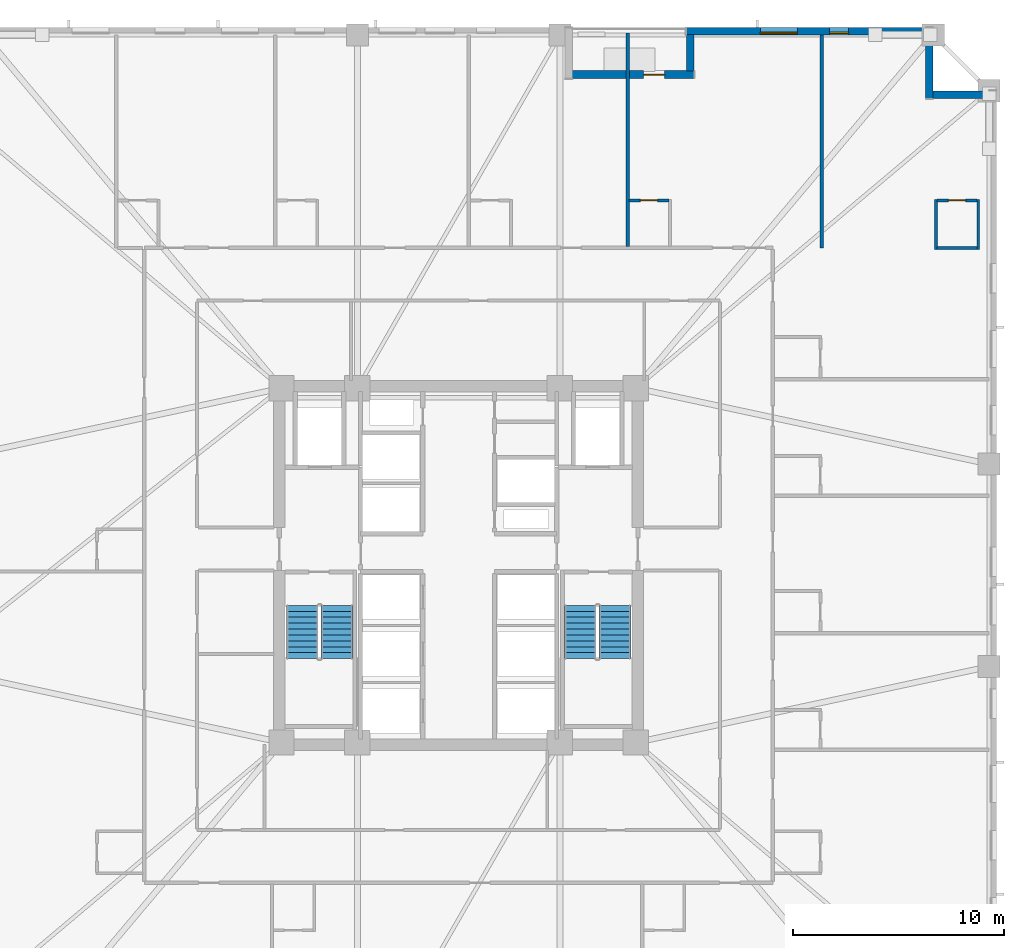
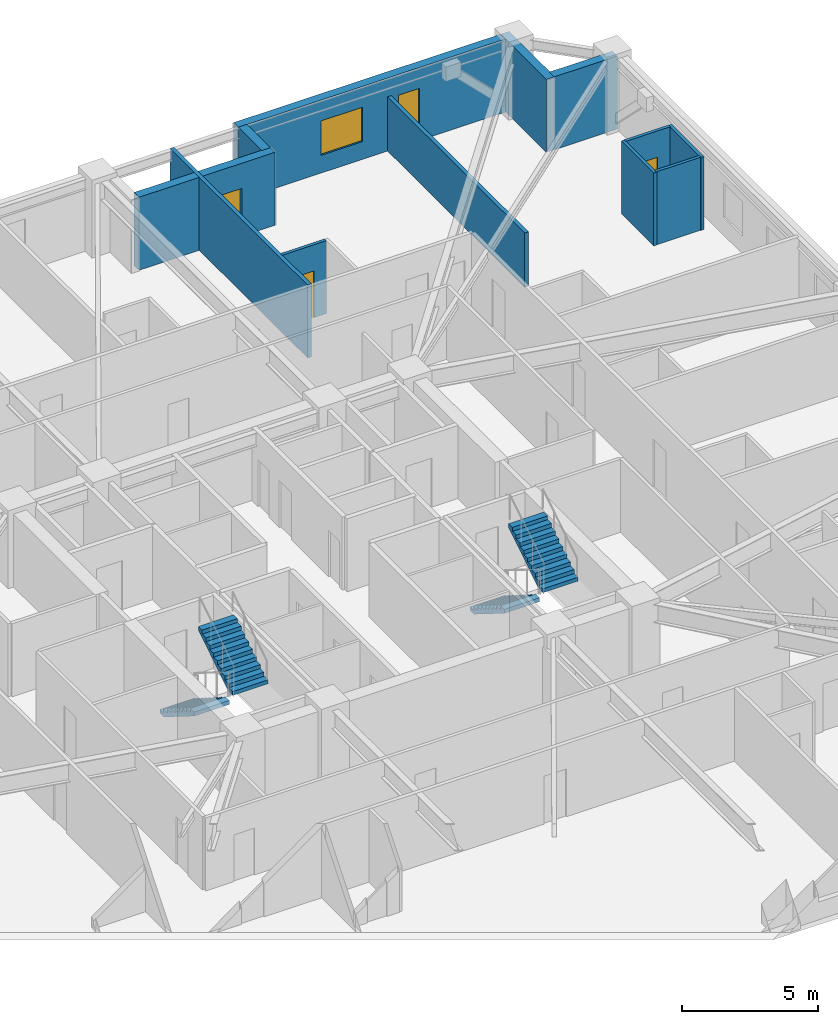
# One storey, part 7 of 11: 12 walls, 4 stair flights, 3 doors, 2 windows, 5 openings, 2 elements without a shape of their own.
"""IFC4 building model written with IfcOpenShell, lengths in metres."""

import ifcopenshell
import ifcopenshell.guid

model = None  # the IFC model being written
_history = None  # IfcOwnerHistory: only IFC2X3 demands one
_inside = {}  # id of a spatial element -> (the spatial element, [elements in it])
_under = {}  # id of a project, library or spatial element -> (it, [spatial elements below it])
_declared = {}  # id of a project -> (the project, [libraries it declares])
_typed = {}  # id of a type object -> (the type object, [elements of that type])
_made_of = {}  # id of a material, layer set ... -> (it, [elements and type objects made of it])


def new_model(schema):
    """Start an empty IFC model of exactly this schema.

    Asked for "IFC4X3", IfcOpenShell would pick the latest addendum, in which some entities
    have other attributes; the version numbers below select the first issue.
    IFC2X3 requires an IfcOwnerHistory on every rooted entity: one is made here for all.
    """
    global model, _history
    if schema == "IFC4X3":
        model = ifcopenshell.file(schema_version=(4, 3, 0, 0))
    else:
        model = ifcopenshell.file(schema=schema)
    _inside.clear()
    _under.clear()
    _declared.clear()
    _typed.clear()
    _made_of.clear()
    _history = None
    if model.schema == "IFC2X3":
        org = make("IfcOrganization", Name="unknown")
        user = make(
            "IfcPersonAndOrganization",
            ThePerson=make("IfcPerson", FamilyName="unknown"),
            TheOrganization=org,
        )
        app = make(
            "IfcApplication",
            ApplicationDeveloper=org,
            Version="unknown",
            ApplicationFullName="unknown",
            ApplicationIdentifier="unknown",
        )
        _history = make(
            "IfcOwnerHistory",
            OwningUser=user,
            OwningApplication=app,
            ChangeAction="ADDED",
            CreationDate=0,
        )
    return model


def make(cls, **values):
    """One entity of the class cls with the attributes given. An attribute that is None is left unset."""
    return model.create_entity(
        cls, **{name: value for name, value in values.items() if value is not None}
    )


def rooted(cls, **values):
    """An entity with a GlobalId (a new one), such as an element, a storey or a relation."""
    return make(cls, GlobalId=ifcopenshell.guid.new(), OwnerHistory=_history, **values)


def si_unit(unit_type, name, prefix=None):
    """IfcSIUnit, for example si_unit("LENGTHUNIT", "METRE", prefix="MILLI")."""
    return make("IfcSIUnit", UnitType=unit_type, Prefix=prefix, Name=name)


def assignment(units):
    """IfcUnitAssignment: the units of a project."""
    return None if units is None else make("IfcUnitAssignment", Units=units)


def point(xyz):
    """IfcCartesianPoint."""
    return None if xyz is None else make("IfcCartesianPoint", Coordinates=xyz)


def direction(xyz):
    """IfcDirection."""
    return None if xyz is None else make("IfcDirection", DirectionRatios=xyz)


def frame(location, z_axis=None, x_axis=None):
    """IfcAxis2Placement3D, a coordinate frame: its origin and axes. An axis left out is left unset."""
    return make(
        "IfcAxis2Placement3D",
        Location=point(location),
        Axis=direction(z_axis),
        RefDirection=direction(x_axis),
    )


def frame_2d(location, x_axis=None):
    """IfcAxis2Placement2D, a coordinate frame in the plane: its origin and x axis."""
    return make(
        "IfcAxis2Placement2D", Location=point(location), RefDirection=direction(x_axis)
    )


def origin():
    """The frame at (0, 0, 0) with its axes left unset."""
    return frame((0.0, 0.0, 0.0))


def place(relative_to, where):
    """IfcLocalPlacement: puts the frame where relative to a parent placement (None: the world)."""
    return make(
        "IfcLocalPlacement", PlacementRelTo=relative_to, RelativePlacement=where
    )


def context(
    kind, dimensions, precision=None, world=None, true_north=None, identifier=None
):
    """IfcGeometricRepresentationContext, for example the 3D "Model" context."""
    return make(
        "IfcGeometricRepresentationContext",
        ContextIdentifier=identifier,
        ContextType=kind,
        CoordinateSpaceDimension=dimensions,
        Precision=precision,
        WorldCoordinateSystem=world,
        TrueNorth=true_north,
    )


def subcontext(parent, identifier, kind, view, scale=None):
    """IfcGeometricRepresentationSubContext, for example "Body" below "Model"."""
    return make(
        "IfcGeometricRepresentationSubContext",
        ContextIdentifier=identifier,
        ContextType=kind,
        ParentContext=parent,
        TargetScale=scale,
        TargetView=view,
    )


def project(units=None, contexts=None):
    """IfcProject with its units and contexts."""
    return rooted(
        "IfcProject",
        Name="project",
        RepresentationContexts=contexts,
        UnitsInContext=assignment(units),
    )


def spatial(cls, under=None, at=None, **own):
    """A site, building, storey or space (cls), placed at a placement, below another one or the project."""
    s = rooted(cls, ObjectPlacement=at, **own)
    if under is not None:
        _under.setdefault(under.id(), (under, []))[1].append(s)
    return s


def polyline(points):
    """IfcPolyline through the points."""
    return make("IfcPolyline", Points=[point(p) for p in points])


def profile(cls, at=None, kind="AREA", **sizes):
    """A parametric profile (cls). Its sizes go by their IFC names, for example OverallWidth=200.0."""
    return make(cls, ProfileType=kind, Position=at, **sizes)


def rectangle(**sizes):
    """IfcRectangleProfileDef."""
    return profile("IfcRectangleProfileDef", **sizes)


def outline(outer, holes=None, kind="AREA"):
    """IfcArbitraryClosedProfileDef: a profile drawn as a closed curve; with holes, ...WithVoids."""
    if holes is None:
        return make("IfcArbitraryClosedProfileDef", ProfileType=kind, OuterCurve=outer)
    return make(
        "IfcArbitraryProfileDefWithVoids",
        ProfileType=kind,
        OuterCurve=outer,
        InnerCurves=holes,
    )


def extrude(swept, where, along, depth):
    """IfcExtrudedAreaSolid: the profile swept, set in the frame where, extruded along a direction by depth."""
    return make(
        "IfcExtrudedAreaSolid",
        SweptArea=swept,
        Position=where,
        ExtrudedDirection=direction(along),
        Depth=depth,
    )


def shape(context_of_items, identifier, shape_type, items):
    """IfcShapeRepresentation: the items that make up one representation, for example the "Body"."""
    return make(
        "IfcShapeRepresentation",
        ContextOfItems=context_of_items,
        RepresentationIdentifier=identifier,
        RepresentationType=shape_type,
        Items=items,
    )


def material(Name=None, Category=None):
    """IfcMaterial."""
    return make("IfcMaterial", Name=Name, Category=Category)


def layer(
    of_material, thickness, ventilated=None, Name=None, Category=None, Priority=None
):
    """IfcMaterialLayer: one layer of a wall or slab, of a material (None: an air gap)."""
    return make(
        "IfcMaterialLayer",
        Material=of_material,
        LayerThickness=thickness,
        IsVentilated=ventilated,
        Name=Name,
        Category=Category,
        Priority=Priority,
    )


def layer_set(layers, Name=None):
    """IfcMaterialLayerSet."""
    return make("IfcMaterialLayerSet", MaterialLayers=layers, LayerSetName=Name)


def made_of(thing, what):
    """Note that an element or type object is made of a material, layer set ...; save() writes the relation."""
    if what is not None:
        _made_of.setdefault(what.id(), (what, []))[1].append(thing)
    return thing


def type_object(cls, material=None, **own):
    """A type object (cls), such as IfcWallType, which elements share."""
    return made_of(rooted(cls, **own), material)


def element(
    cls,
    number,
    at=None,
    inside=None,
    cuts=None,
    type_object=None,
    material=None,
    context=None,
    identifier="Body",
    shape_type=None,
    held_by="IfcProductDefinitionShape",
    body=None,
    shapes=None,
    **own,
):
    """One element of the class cls, such as IfcWall. Its Tag is "e" and its number.

    at: its placement. inside: the storey or other place that contains it. cuts: it is an
    opening in that element (IfcRelVoidsElement). A single representation is given by context,
    identifier, shape_type and body (its items); several are given by shapes. held_by: the class
    of the entity that holds the representations. save() writes the other relations.
    """
    e = rooted(cls, Tag="e%d" % number, ObjectPlacement=at, **own)
    if body is not None:
        shapes = [shape(context, identifier, shape_type, body)]
    if shapes is not None:
        e.Representation = make(held_by, Representations=shapes)
    if inside is not None:
        _inside.setdefault(inside.id(), (inside, []))[1].append(e)
    if cuts is not None:
        rooted(
            "IfcRelVoidsElement", RelatingBuildingElement=cuts, RelatedOpeningElement=e
        )
    if type_object is not None:
        _typed.setdefault(type_object.id(), (type_object, []))[1].append(e)
    return made_of(e, material)


def fill(opening, filler):
    """IfcRelFillsElement: the door or window that sits in an opening."""
    return rooted(
        "IfcRelFillsElement",
        RelatingOpeningElement=opening,
        RelatedBuildingElement=filler,
    )


def aggregate(whole, parts):
    """IfcRelAggregates: a whole, such as a stair, and the parts it consists of."""
    return rooted("IfcRelAggregates", RelatingObject=whole, RelatedObjects=parts)


def save(model, path):
    """Write the relations noted so far, then the file.

    IfcRelAggregates (storeys below a building ...), IfcRelContainedInSpatialStructure (elements
    in a storey), IfcRelDefinesByType, IfcRelAssociatesMaterial and IfcRelDeclares: one each for
    every whole, place, type object, material and project.
    """
    for whole, parts in _under.values():
        aggregate(whole, parts)
    for where, things in _inside.values():
        rooted(
            "IfcRelContainedInSpatialStructure",
            RelatedElements=things,
            RelatingStructure=where,
        )
    for kind, things in _typed.values():
        rooted("IfcRelDefinesByType", RelatedObjects=things, RelatingType=kind)
    for what, things in _made_of.values():
        rooted("IfcRelAssociatesMaterial", RelatedObjects=things, RelatingMaterial=what)
    for by, libraries in _declared.values():
        rooted("IfcRelDeclares", RelatingContext=by, RelatedDefinitions=libraries)
    model.write(path)


model = new_model("IFC4")

# Units and contexts
model_context = context("Model", 3, precision=1e-05, world=origin(), true_north=direction((0.0, 1.0)))
body_context = subcontext(model_context, "Body", "Model", "MODEL_VIEW")
ifc_project = project(units=[si_unit("LENGTHUNIT", "METRE"), si_unit("AREAUNIT", "SQUARE_METRE"), si_unit("VOLUMEUNIT", "CUBIC_METRE"), si_unit("PLANEANGLEUNIT", "RADIAN"), si_unit("MASSUNIT", "GRAM", prefix="KILO")], contexts=[model_context])

# Site, building, storey
site_placement = place(None, origin())
site = spatial("IfcSite", under=ifc_project, at=site_placement, CompositionType="ELEMENT")
building_placement = place(site_placement, origin())
building = spatial("IfcBuilding", under=site, at=building_placement, Name="Cairnveth Concourse Tower", CompositionType="ELEMENT")
storey_placement = place(building_placement, frame((0.0, 0.0, 86.5)))
storey = spatial("IfcBuildingStorey", under=building, at=storey_placement, Name="L23", CompositionType="ELEMENT", Elevation=86.5)

# Walls
ifc_material_1 = material(Name="Gypsum Plasterboard Partition", Category="gypsum")
ifc_layer_1 = layer(ifc_material_1, 0.159912109375)
ifc_layer_set_1 = layer_set([ifc_layer_1], Name="Gypsum Plasterboard Partition")
wall_type_1 = type_object("IfcWallType", Name="ACOUSTIC PARTY WALL 180", PredefinedType="PARTITIONING", material=ifc_layer_set_1)
wall_1_placement = place(storey_placement, frame((60.0224609375, 54.114990234375, 0.0), z_axis=(0.0, 0.0, 1.0), x_axis=(0.0, 1.0, 0.0)))
element("IfcWall", 1, at=wall_1_placement, inside=storey, type_object=wall_type_1, Name="Interior Wall IW-L23-081", PredefinedType="PARTITIONING", context=body_context, shape_type="SweptSolid", body=[
    extrude(rectangle(XDim=10.114990234375, YDim=0.159912109375, at=frame_2d((5.0576171875, 0.0))), origin(), (0.0, 0.0, 1.0), 3.280029296875),
])
wall_2_placement = place(storey_placement, frame((69.20751953125, 54.050048828125, 0.0), z_axis=(0.0, 0.0, 1.0), x_axis=(0.0, 1.0, 0.0)))
element("IfcWall", 2, at=wall_2_placement, inside=storey, type_object=wall_type_1, Name="Interior Wall IW-L23-084", PredefinedType="PARTITIONING", context=body_context, shape_type="SweptSolid", body=[
    extrude(rectangle(XDim=10.10498046875, YDim=0.159912109375, at=frame_2d((5.052490234375, 0.0))), origin(), (0.0, 0.0, 1.0), 2.43896484375),
])

# Wall, opening, door
ifc_layer_2 = layer(ifc_material_1, 0.1298828125)
ifc_layer_set_2 = layer_set([ifc_layer_2], Name="Gypsum Plasterboard Partition")
wall_type_2 = type_object("IfcWallType", Name="WET AREA PARTITION 140", PredefinedType="PLUMBINGWALL", material=ifc_layer_set_2)
wall_3_placement = place(storey_placement, frame((60.08740234375, 56.300048828125, 0.0), z_axis=(0.0, 0.0, 1.0), x_axis=(1.0, 0.0, 0.0)))
wall_3 = element("IfcWall", 3, at=wall_3_placement, inside=storey, type_object=wall_type_2, Name="Interior Wall IW-L23-083", PredefinedType="PLUMBINGWALL", context=body_context, shape_type="SweptSolid", body=[
    extrude(rectangle(XDim=1.885009765625, YDim=0.1298828125, at=frame_2d((0.9423828125, 0.0))), origin(), (0.0, 0.0, 1.0), 3.280029296875),
])
opening_1_placement = place(wall_3_placement, frame((0.52490234375, 0.0, 0.0)))
opening_1 = element("IfcOpeningElement", 4, at=opening_1_placement, cuts=wall_3, Name="Opening ID22", PredefinedType="OPENING", context=body_context, shape_type="SweptSolid", body=[
    extrude(rectangle(XDim=0.820068359375, YDim=2.10009765625, at=frame_2d((0.41015625, 1.050048828125))), frame((0.0, 0.074951171875, 0.0), z_axis=(0.0, -1.0, 0.0), x_axis=(1.0, 0.0, 0.0)), (0.0, 0.0, 1.0), 0.14990234375),
])
ifc_material_2 = material(Name="Solid Core Hardwood Timber Leaf", Category="wood")
door_type_1 = type_object("IfcDoorType", Name="INTERIOR WC DOOR 820X2100", OperationType="NOTDEFINED", PredefinedType="DOOR", material=ifc_material_2)
door_1_placement = place(opening_1_placement, origin())
door_1 = element("IfcDoor", 5, at=door_1_placement, inside=storey, type_object=door_type_1, Name="En-Suite Door L23-N5", OperationType="SINGLE_SWING_LEFT", OverallHeight=2.10009765625, OverallWidth=0.820068359375, PredefinedType="DOOR", context=body_context, shape_type="SweptSolid", body=[
    extrude(rectangle(XDim=0.820068359375, YDim=2.10009765625, at=frame_2d((0.41015625, 1.050048828125))), frame((0.0, 0.02490234375, 0.0), z_axis=(0.0, -1.0, 0.0), x_axis=(1.0, 0.0, 0.0)), (0.0, 0.0, 1.0), 0.050048828125),
])
fill(opening_1, door_1)

# Walls
for number, where, z_axis, x_axis, name in (
    (6, (76.6298828125, 53.969970703125, 0.0), (0.0, 0.0, 1.0), (0.0, 1.0, 0.0), "Interior Wall IW-L23-085"),
    (7, (74.6298828125, 53.969970703125, 0.0), (0.0, 0.0, 1.0), (0.0, 1.0, 0.0), "Interior Wall IW-L23-086"),
):
    element("IfcWall", number, at=place(storey_placement, frame(where, z_axis=z_axis, x_axis=x_axis)), inside=storey, type_object=wall_type_2, Name=name, PredefinedType="PLUMBINGWALL", context=body_context, shape_type="SweptSolid", body=[
        extrude(rectangle(XDim=2.380126953125, YDim=0.1298828125, at=frame_2d((1.18994140625, 0.0))), origin(), (0.0, 0.0, 1.0), 3.280029296875),
    ])

# Wall, opening, door
wall_4_placement = place(storey_placement, frame((74.679931640625, 56.300048828125, 0.0), z_axis=(0.0, 0.0, 1.0), x_axis=(1.0, 0.0, 0.0)))
wall_4 = element("IfcWall", 8, at=wall_4_placement, inside=storey, type_object=wall_type_2, Name="Interior Wall IW-L23-087", PredefinedType="PLUMBINGWALL", context=body_context, shape_type="SweptSolid", body=[
    extrude(rectangle(XDim=1.900146484375, YDim=0.1298828125, at=frame_2d((0.9501953125, 0.0))), origin(), (0.0, 0.0, 1.0), 3.280029296875),
])
opening_2_placement = place(wall_4_placement, frame((0.5400390625, 0.0, 0.0)))
opening_2 = element("IfcOpeningElement", 9, at=opening_2_placement, cuts=wall_4, Name="Opening ID22", PredefinedType="OPENING", context=body_context, shape_type="SweptSolid", body=[
    extrude(rectangle(XDim=0.820068359375, YDim=2.10009765625, at=frame_2d((0.41015625, 1.050048828125))), frame((0.0, 0.074951171875, 0.0), z_axis=(0.0, -1.0, 0.0), x_axis=(1.0, 0.0, 0.0)), (0.0, 0.0, 1.0), 0.14990234375),
])
door_2_placement = place(opening_2_placement, origin())
door_2 = element("IfcDoor", 10, at=door_2_placement, inside=storey, type_object=door_type_1, Name="En-Suite Door L23-N6", OperationType="SINGLE_SWING_LEFT", OverallHeight=2.10009765625, OverallWidth=0.820068359375, PredefinedType="DOOR", context=body_context, shape_type="SweptSolid", body=[
    extrude(rectangle(XDim=0.820068359375, YDim=2.10009765625, at=frame_2d((0.41015625, 1.050048828125))), frame((0.0, 0.02490234375, 0.0), z_axis=(0.0, -1.0, 0.0), x_axis=(1.0, 0.0, 0.0)), (0.0, 0.0, 1.0), 0.050048828125),
])
fill(opening_2, door_2)

# Wall
wall_5_placement = place(storey_placement, frame((74.679931640625, 54.050048828125, 0.0), z_axis=(0.0, 0.0, 1.0), x_axis=(1.0, 0.0, 0.0)))
element("IfcWall", 11, at=wall_5_placement, inside=storey, type_object=wall_type_2, Name="Interior Wall IW-L23-088", PredefinedType="PLUMBINGWALL", context=body_context, shape_type="SweptSolid", body=[
    extrude(rectangle(XDim=1.900146484375, YDim=0.1298828125, at=frame_2d((0.9501953125, 0.0))), origin(), (0.0, 0.0, 1.0), 3.280029296875),
])

# Wall, openings, windows
ifc_material_3 = material(Name="Hawthorn Red-Ochre Fired Clay Brick Masonry", Category="masonry")
ifc_layer_3 = layer(ifc_material_3, 0.360107421875)
ifc_layer_set_3 = layer_set([ifc_layer_3], Name="Hawthorn Red-Ochre Fired Clay Brick Masonry")
wall_type_3 = type_object("IfcWallType", Name="ZONE 1 BRICK PIER SPANDREL WALL 360", PredefinedType="SOLIDWALL", material=ifc_layer_set_3)
wall_6_placement = place(storey_placement, frame((62.800048828125, 64.320068359375, 0.0), z_axis=(0.0, 0.0, 1.0), x_axis=(1.0, 0.0, 0.0)))
wall_6 = element("IfcWall", 12, at=wall_6_placement, inside=storey, type_object=wall_type_3, Name="Exterior Wall EW-L23-S00", PredefinedType="SOLIDWALL", context=body_context, shape_type="SweptSolid", body=[
    extrude(rectangle(XDim=11.362060546875, YDim=0.360107421875, at=frame_2d((5.68115234375, 0.0))), origin(), (0.0, 0.0, 1.0), 3.280029296875),
])
opening_3_placement = place(wall_6_placement, frame((3.506103515625, 0.0, 0.800048828125)))
opening_3 = element("IfcOpeningElement", 13, at=opening_3_placement, cuts=wall_6, Name="Opening W06", PredefinedType="OPENING", context=body_context, shape_type="SweptSolid", body=[
    extrude(rectangle(XDim=1.75, YDim=1.5439453125, at=frame_2d((0.875, 0.77197265625))), frame((0.0, 0.18994140625, 0.0), z_axis=(0.0, -1.0, 0.0), x_axis=(1.0, 0.0, 0.0)), (0.0, 0.0, 1.0), 0.380126953125),
])
opening_4_placement = place(wall_6_placement, frame((6.7900390625, 0.0, 0.800048828125)))
opening_4 = element("IfcOpeningElement", 14, at=opening_4_placement, cuts=wall_6, Name="Opening W13", PredefinedType="OPENING", context=body_context, shape_type="SweptSolid", body=[
    extrude(rectangle(XDim=0.89990234375, YDim=1.5439453125, at=frame_2d((0.449951171875, 0.77197265625))), frame((0.0, 0.18994140625, 0.0), z_axis=(0.0, -1.0, 0.0), x_axis=(1.0, 0.0, 0.0)), (0.0, 0.0, 1.0), 0.380126953125),
])
ifc_material_4 = material(Name="Double Glazed Low-E Clear Glass", Category="glass")
window_type_1 = type_object("IfcWindowType", Name="DEEP-SET BEDROOM LANCET WINDOW 900X1750", PartitioningType="DOUBLE_PANEL_VERTICAL", PredefinedType="WINDOW", material=ifc_material_4)
window_1_placement = place(opening_4_placement, origin())
window_1 = element("IfcWindow", 15, at=window_1_placement, inside=storey, type_object=window_type_1, Name="Dwelling Lancet Window L23-DW2", OverallHeight=1.5439453125, OverallWidth=0.89990234375, PartitioningType="SINGLE_PANEL", PredefinedType="WINDOW", context=body_context, shape_type="SweptSolid", body=[
    extrude(rectangle(XDim=0.89990234375, YDim=1.5439453125, at=frame_2d((0.449951171875, 0.77197265625))), frame((0.0, -0.0400390625, 0.0), z_axis=(0.0, -1.0, 0.0), x_axis=(1.0, 0.0, 0.0)), (0.0, 0.0, 1.0), 0.06005859375),
])
fill(opening_4, window_1)
window_type_2 = type_object("IfcWindowType", Name="DEEP-SET HOTEL SUITE WINDOW 1750X1800", PartitioningType="DOUBLE_PANEL_VERTICAL", PredefinedType="WINDOW", material=ifc_material_4)
window_2_placement = place(opening_3_placement, origin())
window_2 = element("IfcWindow", 16, at=window_2_placement, inside=storey, type_object=window_type_2, Name="Gothic Lancet Window L23-0-1", OverallHeight=1.5439453125, OverallWidth=1.75, PartitioningType="SINGLE_PANEL", PredefinedType="WINDOW", context=body_context, shape_type="SweptSolid", body=[
    extrude(rectangle(XDim=1.75, YDim=1.5439453125, at=frame_2d((0.875, 0.77197265625))), frame((0.0, -0.050048828125, 0.0), z_axis=(0.0, -1.0, 0.0), x_axis=(1.0, 0.0, 0.0)), (0.0, 0.0, 1.0), 0.06005859375),
])
fill(opening_3, window_2)

# Walls
wall_7_placement = place(storey_placement, frame((74.320068359375, 64.5, 0.0), z_axis=(0.0, 0.0, 1.0), x_axis=(0.0, -1.0, 0.0)))
element("IfcWall", 17, at=wall_7_placement, inside=storey, type_object=wall_type_3, Name="Exterior Wall EW-L23-S01", PredefinedType="SOLIDWALL", context=body_context, shape_type="SweptSolid", body=[
    extrude(rectangle(XDim=3.360107421875, YDim=0.360107421875, at=frame_2d((1.68017578125, 0.0))), origin(), (0.0, 0.0, 1.0), 3.280029296875),
])
wall_8_placement = place(storey_placement, frame((74.47802734375, 61.320068359375, 0.0), z_axis=(0.0, 0.0, 1.0), x_axis=(1.0, 0.0, 0.0)))
element("IfcWall", 18, at=wall_8_placement, inside=storey, type_object=wall_type_3, Name="Exterior Wall EW-L23-S02", PredefinedType="SOLIDWALL", context=body_context, shape_type="SweptSolid", body=[
    extrude(rectangle(XDim=2.68408203125, YDim=0.360107421875, at=frame_2d((1.342041015625, 0.0))), origin(), (0.0, 0.0, 1.0), 3.280029296875),
])

# Wall, opening, door
wall_9_placement = place(storey_placement, frame((57.3779296875, 62.27001953125, 0.0), z_axis=(0.0, 0.0, 1.0), x_axis=(1.0, 0.0, 0.0)))
wall_9 = element("IfcWall", 19, at=wall_9_placement, inside=storey, type_object=wall_type_3, Name="Exterior Wall EW-L23-S14", PredefinedType="SOLIDWALL", context=body_context, shape_type="SweptSolid", body=[
    extrude(rectangle(XDim=5.781982421875, YDim=0.360107421875, at=frame_2d((2.89111328125, 0.0))), origin(), (0.0, 0.0, 1.0), 3.280029296875),
])
opening_5_placement = place(wall_9_placement, frame((3.38818359375, 0.0, 0.0)))
opening_5 = element("IfcOpeningElement", 20, at=opening_5_placement, cuts=wall_9, Name="Opening ED4", PredefinedType="OPENING", context=body_context, shape_type="SweptSolid", body=[
    extrude(rectangle(XDim=1.0, YDim=2.14990234375, at=frame_2d((0.5, 1.074951171875))), frame((0.0, 0.18994140625, 0.0), z_axis=(0.0, -1.0, 0.0), x_axis=(1.0, 0.0, 0.0)), (0.0, 0.0, 1.0), 0.380126953125),
])
ifc_material_5 = material(Name="Architectural Bronze Anodised Aluminium 6063-T6", Category="aluminium")
door_type_2 = type_object("IfcDoorType", Name="TERRACE GLAZED DOOR 1000X2150", OperationType="NOTDEFINED", PredefinedType="DOOR", material=ifc_material_5)
door_3_placement = place(opening_5_placement, origin())
door_3 = element("IfcDoor", 21, at=door_3_placement, inside=storey, type_object=door_type_2, Name="Spiral Terrace Door L23", OperationType="SINGLE_SWING_RIGHT", OverallHeight=2.14990234375, OverallWidth=1.0, PredefinedType="DOOR", context=body_context, shape_type="SweptSolid", body=[
    extrude(rectangle(XDim=1.0, YDim=2.14990234375, at=frame_2d((0.5, 1.074951171875))), frame((0.0, 0.02490234375, 0.0), z_axis=(0.0, -1.0, 0.0), x_axis=(1.0, 0.0, 0.0)), (0.0, 0.0, 1.0), 0.050048828125),
])
fill(opening_5, door_3)

# Wall
wall_10_placement = place(storey_placement, frame((62.97998046875, 62.427978515625, 0.0), z_axis=(0.0, 0.0, 1.0), x_axis=(0.0, 1.0, 0.0)))
element("IfcWall", 22, at=wall_10_placement, inside=storey, type_object=wall_type_3, Name="Exterior Wall EW-L23-S15", PredefinedType="SOLIDWALL", context=body_context, shape_type="SweptSolid", body=[
    extrude(rectangle(XDim=1.734130859375, YDim=0.360107421875, at=frame_2d((0.8671875, 0.0))), origin(), (0.0, 0.0, 1.0), 3.280029296875),
])

# Stair, stair flights
ifc_material_6 = material(Name="Precast concrete N50 (50 MPa)", Category="concrete")
stair_type = type_object("IfcStairType", Name="CORE DOG-LEG FIRE STAIR 1500", PredefinedType="HALF_TURN_STAIR", material=ifc_material_6)
stair_1_placement = place(storey_placement, origin())
stair_1 = element("IfcStair", 23, at=stair_1_placement, inside=storey, type_object=stair_type, Name="L23 Fire-Isolated Stair ST-1", PredefinedType="HALF_TURN_STAIR")
stair_flight_type = type_object("IfcStairFlightType", Name="PRECAST CONCRETE STAIR FLIGHT 1500", PredefinedType="STRAIGHT", material=ifc_material_6)
stair_flight_1_placement = place(storey_placement, frame((44.590087890625, 37.10009765625, 0.0), z_axis=(0.0, 0.0, 1.0), x_axis=(0.0, -1.0, 0.0)))
stair_flight_1 = element("IfcStairFlight", 24, at=stair_flight_1_placement, type_object=stair_flight_type, Name="ST-1 flight 1", NumberOfRisers=10, NumberOfTreads=9, PredefinedType="STRAIGHT", RiserHeight=0.175, TreadLength=0.28, context=body_context, shape_type="SweptSolid", body=[
    extrude(outline(polyline([(0.0, 0.0), (0.0, 0.175048828125), (0.280029296875, 0.175048828125), (0.280029296875, 0.35009765625), (0.56005859375, 0.35009765625), (0.56005859375, 0.52490234375), (0.840087890625, 0.52490234375), (0.840087890625, 0.699951171875), (1.1201171875, 0.699951171875), (1.1201171875, 0.875), (1.39990234375, 0.875), (1.39990234375, 1.050048828125), (1.679931640625, 1.050048828125), (1.679931640625, 1.22509765625), (1.9599609375, 1.22509765625), (1.9599609375, 1.39990234375), (2.239990234375, 1.39990234375), (2.239990234375, 1.574951171875), (2.52001953125, 1.574951171875), (2.52001953125, 1.75), (2.52001953125, 1.398193359375), (0.28271484375, 0.0), (0.0, 0.0)])), frame((0.0, 0.75, 0.0), z_axis=(0.0, -1.0, 0.0), x_axis=(1.0, 0.0, 0.0)), (0.0, 0.0, 1.0), 1.5),
])
stair_flight_2_placement = place(storey_placement, frame((46.22998046875, 34.580078125, 1.75), z_axis=(0.0, 0.0, 1.0), x_axis=(0.0, 1.0, 0.0)))
stair_flight_2 = element("IfcStairFlight", 25, at=stair_flight_2_placement, type_object=stair_flight_type, Name="ST-1 flight 2", NumberOfRisers=10, NumberOfTreads=9, PredefinedType="STRAIGHT", RiserHeight=0.175, TreadLength=0.28, context=body_context, shape_type="SweptSolid", body=[
    extrude(outline(polyline([(0.0, 0.0), (0.0, 0.175048828125), (0.280029296875, 0.175048828125), (0.280029296875, 0.35009765625), (0.56005859375, 0.35009765625), (0.56005859375, 0.52490234375), (0.840087890625, 0.52490234375), (0.840087890625, 0.699951171875), (1.1201171875, 0.699951171875), (1.1201171875, 0.875), (1.39990234375, 0.875), (1.39990234375, 1.050048828125), (1.679931640625, 1.050048828125), (1.679931640625, 1.22509765625), (1.9599609375, 1.22509765625), (1.9599609375, 1.39990234375), (2.239990234375, 1.39990234375), (2.239990234375, 1.574951171875), (2.52001953125, 1.574951171875), (2.52001953125, 1.75), (2.52001953125, 1.398193359375), (0.28271484375, 0.0), (0.0, 0.0)])), frame((0.0, 0.75, 0.0), z_axis=(0.0, -1.0, 0.0), x_axis=(1.0, 0.0, 0.0)), (0.0, 0.0, 1.0), 1.5),
])
aggregate(stair_1, [stair_flight_1, stair_flight_2])

stair_2_placement = place(storey_placement, origin())
stair_2 = element("IfcStair", 26, at=stair_2_placement, inside=storey, type_object=stair_type, Name="L23 Fire-Isolated Stair ST-2", PredefinedType="HALF_TURN_STAIR")
stair_flight_3_placement = place(storey_placement, frame((57.77001953125, 37.10009765625, 0.0), z_axis=(0.0, 0.0, 1.0), x_axis=(0.0, -1.0, 0.0)))
stair_flight_3 = element("IfcStairFlight", 27, at=stair_flight_3_placement, type_object=stair_flight_type, Name="ST-2 flight 1", NumberOfRisers=10, NumberOfTreads=9, PredefinedType="STRAIGHT", RiserHeight=0.175, TreadLength=0.28, context=body_context, shape_type="SweptSolid", body=[
    extrude(outline(polyline([(0.0, 0.0), (0.0, 0.175048828125), (0.280029296875, 0.175048828125), (0.280029296875, 0.35009765625), (0.56005859375, 0.35009765625), (0.56005859375, 0.52490234375), (0.840087890625, 0.52490234375), (0.840087890625, 0.699951171875), (1.1201171875, 0.699951171875), (1.1201171875, 0.875), (1.39990234375, 0.875), (1.39990234375, 1.050048828125), (1.679931640625, 1.050048828125), (1.679931640625, 1.22509765625), (1.9599609375, 1.22509765625), (1.9599609375, 1.39990234375), (2.239990234375, 1.39990234375), (2.239990234375, 1.574951171875), (2.52001953125, 1.574951171875), (2.52001953125, 1.75), (2.52001953125, 1.398193359375), (0.28271484375, 0.0), (0.0, 0.0)])), frame((0.0, 0.75, 0.0), z_axis=(0.0, -1.0, 0.0), x_axis=(1.0, 0.0, 0.0)), (0.0, 0.0, 1.0), 1.5),
])
stair_flight_4_placement = place(storey_placement, frame((59.409912109375, 34.580078125, 1.75), z_axis=(0.0, 0.0, 1.0), x_axis=(0.0, 1.0, 0.0)))
stair_flight_4 = element("IfcStairFlight", 28, at=stair_flight_4_placement, type_object=stair_flight_type, Name="ST-2 flight 2", NumberOfRisers=10, NumberOfTreads=9, PredefinedType="STRAIGHT", RiserHeight=0.175, TreadLength=0.28, context=body_context, shape_type="SweptSolid", body=[
    extrude(outline(polyline([(0.0, 0.0), (0.0, 0.175048828125), (0.280029296875, 0.175048828125), (0.280029296875, 0.35009765625), (0.56005859375, 0.35009765625), (0.56005859375, 0.52490234375), (0.840087890625, 0.52490234375), (0.840087890625, 0.699951171875), (1.1201171875, 0.699951171875), (1.1201171875, 0.875), (1.39990234375, 0.875), (1.39990234375, 1.050048828125), (1.679931640625, 1.050048828125), (1.679931640625, 1.22509765625), (1.9599609375, 1.22509765625), (1.9599609375, 1.39990234375), (2.239990234375, 1.39990234375), (2.239990234375, 1.574951171875), (2.52001953125, 1.574951171875), (2.52001953125, 1.75), (2.52001953125, 1.398193359375), (0.28271484375, 0.0), (0.0, 0.0)])), frame((0.0, 0.75, 0.0), z_axis=(0.0, -1.0, 0.0), x_axis=(1.0, 0.0, 0.0)), (0.0, 0.0, 1.0), 1.5),
])
aggregate(stair_2, [stair_flight_3, stair_flight_4])

save(model, "model.ifc")
